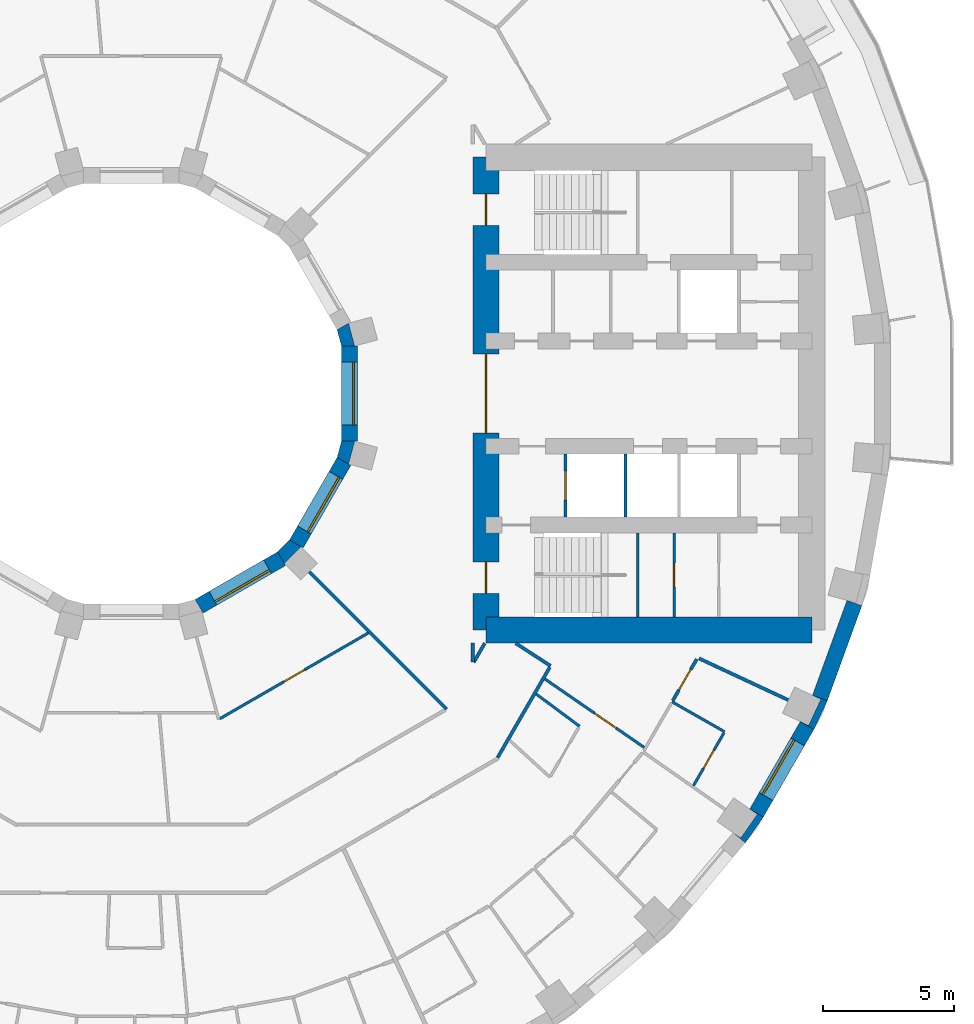
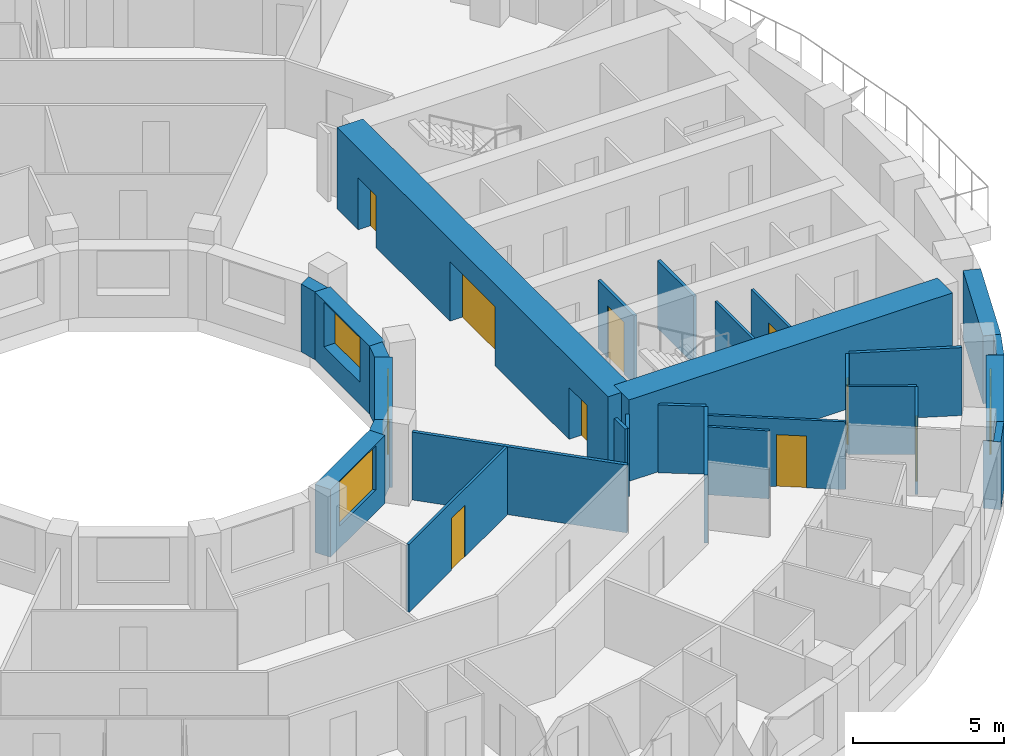
# One storey, part 8 of 15: 28 walls, 9 doors, 4 windows, 13 openings.
"""IFC4 building model written with IfcOpenShell, lengths in metres."""

import ifcopenshell
import ifcopenshell.guid

model = None  # the IFC model being written
_history = None  # IfcOwnerHistory: only IFC2X3 demands one
_inside = {}  # id of a spatial element -> (the spatial element, [elements in it])
_under = {}  # id of a project, library or spatial element -> (it, [spatial elements below it])
_declared = {}  # id of a project -> (the project, [libraries it declares])
_typed = {}  # id of a type object -> (the type object, [elements of that type])
_made_of = {}  # id of a material, layer set ... -> (it, [elements and type objects made of it])


def new_model(schema):
    """Start an empty IFC model of exactly this schema.

    Asked for "IFC4X3", IfcOpenShell would pick the latest addendum, in which some entities
    have other attributes; the version numbers below select the first issue.
    IFC2X3 requires an IfcOwnerHistory on every rooted entity: one is made here for all.
    """
    global model, _history
    if schema == "IFC4X3":
        model = ifcopenshell.file(schema_version=(4, 3, 0, 0))
    else:
        model = ifcopenshell.file(schema=schema)
    _inside.clear()
    _under.clear()
    _declared.clear()
    _typed.clear()
    _made_of.clear()
    _history = None
    if model.schema == "IFC2X3":
        org = make("IfcOrganization", Name="unknown")
        user = make(
            "IfcPersonAndOrganization",
            ThePerson=make("IfcPerson", FamilyName="unknown"),
            TheOrganization=org,
        )
        app = make(
            "IfcApplication",
            ApplicationDeveloper=org,
            Version="unknown",
            ApplicationFullName="unknown",
            ApplicationIdentifier="unknown",
        )
        _history = make(
            "IfcOwnerHistory",
            OwningUser=user,
            OwningApplication=app,
            ChangeAction="ADDED",
            CreationDate=0,
        )
    return model


def make(cls, **values):
    """One entity of the class cls with the attributes given. An attribute that is None is left unset."""
    return model.create_entity(
        cls, **{name: value for name, value in values.items() if value is not None}
    )


def rooted(cls, **values):
    """An entity with a GlobalId (a new one), such as an element, a storey or a relation."""
    return make(cls, GlobalId=ifcopenshell.guid.new(), OwnerHistory=_history, **values)


def si_unit(unit_type, name, prefix=None):
    """IfcSIUnit, for example si_unit("LENGTHUNIT", "METRE", prefix="MILLI")."""
    return make("IfcSIUnit", UnitType=unit_type, Prefix=prefix, Name=name)


def assignment(units):
    """IfcUnitAssignment: the units of a project."""
    return None if units is None else make("IfcUnitAssignment", Units=units)


def point(xyz):
    """IfcCartesianPoint."""
    return None if xyz is None else make("IfcCartesianPoint", Coordinates=xyz)


def direction(xyz):
    """IfcDirection."""
    return None if xyz is None else make("IfcDirection", DirectionRatios=xyz)


def frame(location, z_axis=None, x_axis=None):
    """IfcAxis2Placement3D, a coordinate frame: its origin and axes. An axis left out is left unset."""
    return make(
        "IfcAxis2Placement3D",
        Location=point(location),
        Axis=direction(z_axis),
        RefDirection=direction(x_axis),
    )


def frame_2d(location, x_axis=None):
    """IfcAxis2Placement2D, a coordinate frame in the plane: its origin and x axis."""
    return make(
        "IfcAxis2Placement2D", Location=point(location), RefDirection=direction(x_axis)
    )


def origin():
    """The frame at (0, 0, 0) with its axes left unset."""
    return frame((0.0, 0.0, 0.0))


def place(relative_to, where):
    """IfcLocalPlacement: puts the frame where relative to a parent placement (None: the world)."""
    return make(
        "IfcLocalPlacement", PlacementRelTo=relative_to, RelativePlacement=where
    )


def context(
    kind, dimensions, precision=None, world=None, true_north=None, identifier=None
):
    """IfcGeometricRepresentationContext, for example the 3D "Model" context."""
    return make(
        "IfcGeometricRepresentationContext",
        ContextIdentifier=identifier,
        ContextType=kind,
        CoordinateSpaceDimension=dimensions,
        Precision=precision,
        WorldCoordinateSystem=world,
        TrueNorth=true_north,
    )


def subcontext(parent, identifier, kind, view, scale=None):
    """IfcGeometricRepresentationSubContext, for example "Body" below "Model"."""
    return make(
        "IfcGeometricRepresentationSubContext",
        ContextIdentifier=identifier,
        ContextType=kind,
        ParentContext=parent,
        TargetScale=scale,
        TargetView=view,
    )


def project(units=None, contexts=None):
    """IfcProject with its units and contexts."""
    return rooted(
        "IfcProject",
        Name="project",
        RepresentationContexts=contexts,
        UnitsInContext=assignment(units),
    )


def spatial(cls, under=None, at=None, **own):
    """A site, building, storey or space (cls), placed at a placement, below another one or the project."""
    s = rooted(cls, ObjectPlacement=at, **own)
    if under is not None:
        _under.setdefault(under.id(), (under, []))[1].append(s)
    return s


def polyline(points):
    """IfcPolyline through the points."""
    return make("IfcPolyline", Points=[point(p) for p in points])


def profile(cls, at=None, kind="AREA", **sizes):
    """A parametric profile (cls). Its sizes go by their IFC names, for example OverallWidth=200.0."""
    return make(cls, ProfileType=kind, Position=at, **sizes)


def rectangle(**sizes):
    """IfcRectangleProfileDef."""
    return profile("IfcRectangleProfileDef", **sizes)


def outline(outer, holes=None, kind="AREA"):
    """IfcArbitraryClosedProfileDef: a profile drawn as a closed curve; with holes, ...WithVoids."""
    if holes is None:
        return make("IfcArbitraryClosedProfileDef", ProfileType=kind, OuterCurve=outer)
    return make(
        "IfcArbitraryProfileDefWithVoids",
        ProfileType=kind,
        OuterCurve=outer,
        InnerCurves=holes,
    )


def extrude(swept, where, along, depth):
    """IfcExtrudedAreaSolid: the profile swept, set in the frame where, extruded along a direction by depth."""
    return make(
        "IfcExtrudedAreaSolid",
        SweptArea=swept,
        Position=where,
        ExtrudedDirection=direction(along),
        Depth=depth,
    )


def shape(context_of_items, identifier, shape_type, items):
    """IfcShapeRepresentation: the items that make up one representation, for example the "Body"."""
    return make(
        "IfcShapeRepresentation",
        ContextOfItems=context_of_items,
        RepresentationIdentifier=identifier,
        RepresentationType=shape_type,
        Items=items,
    )


def material(Name=None, Category=None):
    """IfcMaterial."""
    return make("IfcMaterial", Name=Name, Category=Category)


def layer(
    of_material, thickness, ventilated=None, Name=None, Category=None, Priority=None
):
    """IfcMaterialLayer: one layer of a wall or slab, of a material (None: an air gap)."""
    return make(
        "IfcMaterialLayer",
        Material=of_material,
        LayerThickness=thickness,
        IsVentilated=ventilated,
        Name=Name,
        Category=Category,
        Priority=Priority,
    )


def layer_set(layers, Name=None):
    """IfcMaterialLayerSet."""
    return make("IfcMaterialLayerSet", MaterialLayers=layers, LayerSetName=Name)


def made_of(thing, what):
    """Note that an element or type object is made of a material, layer set ...; save() writes the relation."""
    if what is not None:
        _made_of.setdefault(what.id(), (what, []))[1].append(thing)
    return thing


def type_object(cls, material=None, **own):
    """A type object (cls), such as IfcWallType, which elements share."""
    return made_of(rooted(cls, **own), material)


def element(
    cls,
    number,
    at=None,
    inside=None,
    cuts=None,
    type_object=None,
    material=None,
    context=None,
    identifier="Body",
    shape_type=None,
    held_by="IfcProductDefinitionShape",
    body=None,
    shapes=None,
    **own,
):
    """One element of the class cls, such as IfcWall. Its Tag is "e" and its number.

    at: its placement. inside: the storey or other place that contains it. cuts: it is an
    opening in that element (IfcRelVoidsElement). A single representation is given by context,
    identifier, shape_type and body (its items); several are given by shapes. held_by: the class
    of the entity that holds the representations. save() writes the other relations.
    """
    e = rooted(cls, Tag="e%d" % number, ObjectPlacement=at, **own)
    if body is not None:
        shapes = [shape(context, identifier, shape_type, body)]
    if shapes is not None:
        e.Representation = make(held_by, Representations=shapes)
    if inside is not None:
        _inside.setdefault(inside.id(), (inside, []))[1].append(e)
    if cuts is not None:
        rooted(
            "IfcRelVoidsElement", RelatingBuildingElement=cuts, RelatedOpeningElement=e
        )
    if type_object is not None:
        _typed.setdefault(type_object.id(), (type_object, []))[1].append(e)
    return made_of(e, material)


def fill(opening, filler):
    """IfcRelFillsElement: the door or window that sits in an opening."""
    return rooted(
        "IfcRelFillsElement",
        RelatingOpeningElement=opening,
        RelatedBuildingElement=filler,
    )


def aggregate(whole, parts):
    """IfcRelAggregates: a whole, such as a stair, and the parts it consists of."""
    return rooted("IfcRelAggregates", RelatingObject=whole, RelatedObjects=parts)


def save(model, path):
    """Write the relations noted so far, then the file.

    IfcRelAggregates (storeys below a building ...), IfcRelContainedInSpatialStructure (elements
    in a storey), IfcRelDefinesByType, IfcRelAssociatesMaterial and IfcRelDeclares: one each for
    every whole, place, type object, material and project.
    """
    for whole, parts in _under.values():
        aggregate(whole, parts)
    for where, things in _inside.values():
        rooted(
            "IfcRelContainedInSpatialStructure",
            RelatedElements=things,
            RelatingStructure=where,
        )
    for kind, things in _typed.values():
        rooted("IfcRelDefinesByType", RelatedObjects=things, RelatingType=kind)
    for what, things in _made_of.values():
        rooted("IfcRelAssociatesMaterial", RelatedObjects=things, RelatingMaterial=what)
    for by, libraries in _declared.values():
        rooted("IfcRelDeclares", RelatingContext=by, RelatedDefinitions=libraries)
    model.write(path)


model = new_model("IFC4")

# Units and contexts
model_context = context("Model", 3, precision=1e-05, world=origin(), true_north=direction((0.0, 1.0)))
body_context = subcontext(model_context, "Body", "Model", "MODEL_VIEW")
ifc_project = project(units=[si_unit("LENGTHUNIT", "METRE"), si_unit("AREAUNIT", "SQUARE_METRE"), si_unit("VOLUMEUNIT", "CUBIC_METRE"), si_unit("PLANEANGLEUNIT", "RADIAN"), si_unit("MASSUNIT", "GRAM", prefix="KILO")], contexts=[model_context])

# Site, building, storey
site_placement = place(None, origin())
site = spatial("IfcSite", under=ifc_project, at=site_placement, CompositionType="ELEMENT")
building_placement = place(site_placement, origin())
building = spatial("IfcBuilding", under=site, at=building_placement, Name="Saqina Gate Tower", CompositionType="ELEMENT")
storey_placement = place(building_placement, frame((0.0, 0.0, 59.300048828125)))
storey = spatial("IfcBuildingStorey", under=building, at=storey_placement, Name="L16", CompositionType="ELEMENT", Elevation=59.300048828125)

# Walls
ifc_material_1 = material(Name="Brick masonry (red)", Category="masonry")
wall_type_1 = type_object("IfcWallType", Name="BRICK PIER COPING RED", PredefinedType="SOLIDWALL", material=ifc_material_1)
wall_1_placement = place(storey_placement, origin())
element("IfcWall", 1, at=wall_1_placement, inside=storey, type_object=wall_type_1, Name="Pier cap L16 column 33", PredefinedType="SOLIDWALL", context=body_context, shape_type="SweptSolid", body=[
    extrude(outline(polyline([(23.36669921875, -17.096923828125), (24.0576171875, -16.110107421875), (23.5380859375, -15.81005859375), (23.8251953125, -16.010986328125), (23.194091796875, -16.912109375), (22.9072265625, -16.711181640625), (23.36669921875, -17.096923828125)])), origin(), (0.0, 0.0, 1.0), 2.75),
])
wall_2_placement = place(storey_placement, origin())
element("IfcWall", 2, at=wall_2_placement, inside=storey, type_object=wall_type_1, Name="Pier cap L16 column 34", PredefinedType="SOLIDWALL", context=body_context, shape_type="SweptSolid", body=[
    extrude(outline(polyline([(26.48974609375, -11.687744140625), (25.92578125, -11.482666015625), (26.243408203125, -11.630615234375), (25.778564453125, -12.627685546875), (25.4609375, -12.4794921875), (25.980712890625, -12.779541015625), (26.48974609375, -11.687744140625)])), origin(), (0.0, 0.0, 1.0), 2.75),
])

# Wall, opening, door
ifc_material_2 = material(Name="Gypsum board on steel studs", Category="steel")
ifc_layer_1 = layer(ifc_material_2, 0.10009765625)
ifc_layer_set_1 = layer_set([ifc_layer_1], Name="CORE PARTITION")
wall_type_2 = type_object("IfcWallType", Name="CORE PARTITION", PredefinedType="PARTITIONING", material=ifc_layer_set_1)
wall_3_placement = place(storey_placement, frame((20.65771484375, -8.5, 0.0), z_axis=(0.0, 0.0, 1.0), x_axis=(0.0, 1.0, 0.0)))
wall_3 = element("IfcWall", 3, at=wall_3_placement, inside=storey, type_object=wall_type_2, Name="L16-CP-E13", PredefinedType="PARTITIONING", context=body_context, shape_type="SweptSolid", body=[
    extrude(rectangle(XDim=3.199951171875, YDim=0.10009765625, at=frame_2d((1.60009765625, 0.0))), origin(), (0.0, 0.0, 1.0), 2.75),
])
opening_1_placement = place(wall_3_placement, frame((1.14990234375, 0.0, 0.0)))
opening_1 = element("IfcOpeningElement", 4, at=opening_1_placement, cuts=wall_3, Name="Opening G04-D100", PredefinedType="OPENING", context=body_context, shape_type="SweptSolid", body=[
    extrude(rectangle(XDim=0.89990234375, YDim=2.10009765625, at=frame_2d((0.449951171875, 1.050048828125))), frame((0.0, 0.06201171875, 0.0), z_axis=(0.0, -1.0, 0.0), x_axis=(1.0, 0.0, 0.0)), (0.0, 0.0, 1.0), 0.1240234375),
])
ifc_material_3 = material(Name="Steel-framed fire door leaf, EI 60", Category="steel")
door_type_1 = type_object("IfcDoorType", Name="SERVICE ROOM DOOR 900", OperationType="SINGLE_SWING_LEFT", PredefinedType="DOOR", material=ifc_material_3)
door_1_placement = place(opening_1_placement, frame((0.89990234375, 0.0, 0.0), z_axis=(0.0, 0.0, 1.0), x_axis=(-1.0, 0.0, 0.0)))
door_1 = element("IfcDoor", 5, at=door_1_placement, inside=storey, type_object=door_type_1, Name="L16-CD-E11", OperationType="SINGLE_SWING_RIGHT", OverallHeight=2.10009765625, OverallWidth=0.89990234375, PredefinedType="DOOR", context=body_context, shape_type="SweptSolid", body=[
    extrude(rectangle(XDim=0.89990234375, YDim=2.10009765625, at=frame_2d((0.449951171875, 1.050048828125))), frame((0.0, 0.02490234375, 0.0), z_axis=(0.0, -1.0, 0.0), x_axis=(1.0, 0.0, 0.0)), (0.0, 0.0, 1.0), 0.050048828125),
])
fill(opening_1, door_1)

# Wall, opening, window
ifc_material_4 = material(Name="Brick masonry (red)", Category="masonry")
ifc_layer_2 = layer(ifc_material_4, 0.60009765625)
ifc_layer_set_2 = layer_set([ifc_layer_2], Name="FW-BRICK-RED")
wall_type_3 = type_object("IfcWallType", Name="FW-BRICK-RED", PredefinedType="SOLIDWALL", material=ifc_layer_set_2)
wall_4_placement = place(storey_placement, frame((23.7978515625, -15.960205078125, 0.0), z_axis=(0.0, 0.0, 1.0), x_axis=(0.499989888488, 0.86603124159, 0.0)))
wall_4 = element("IfcWall", 6, at=wall_4_placement, inside=storey, type_object=wall_type_3, Name="Facade wall L16 facet 33", PredefinedType="SOLIDWALL", context=body_context, shape_type="SweptSolid", body=[
    extrude(rectangle(XDim=3.845703125, YDim=0.60009765625, at=frame_2d((1.9228515625, 0.0))), origin(), (0.0, 0.0, 1.0), 2.75),
])
opening_2_placement = place(wall_4_placement, frame((0.722900390625, 0.0, 0.89990234375)))
opening_2 = element("IfcOpeningElement", 7, at=opening_2_placement, cuts=wall_4, Name="Opening G04-W23", PredefinedType="OPENING", context=body_context, shape_type="SweptSolid", body=[
    extrude(rectangle(XDim=2.39990234375, YDim=1.800048828125, at=frame_2d((1.199951171875, 0.89990234375))), frame((0.0, 0.31201171875, 0.0), z_axis=(0.0, -1.0, 0.0), x_axis=(1.0, 0.0, 0.0)), (0.0, 0.0, 1.0), 0.6240234375),
])
ifc_material_5 = material(Name="Aluminium glazing", Category="aluminium")
window_type_1 = type_object("IfcWindowType", Name="WN-A", PartitioningType="SINGLE_PANEL", PredefinedType="WINDOW", material=ifc_material_5)
window_1_placement = place(opening_2_placement, origin())
window_1 = element("IfcWindow", 8, at=window_1_placement, inside=storey, type_object=window_type_1, Name="Window L16 facet 33", OverallHeight=1.800048828125, OverallWidth=2.39990234375, PartitioningType="SINGLE_PANEL", PredefinedType="WINDOW", context=body_context, shape_type="SweptSolid", body=[
    extrude(rectangle(XDim=2.39990234375, YDim=1.800048828125, at=frame_2d((1.199951171875, 0.89990234375))), frame((0.0, 0.179931640625, 0.0), z_axis=(0.0, -1.0, 0.0), x_axis=(1.0, 0.0, 0.0)), (0.0, 0.0, 1.0), 0.06005859375),
])
fill(opening_2, window_1)

# Wall
ifc_material_6 = material(Name="Glazed ceramic tile (dark blue)", Category="ceramic")
ifc_layer_3 = layer(ifc_material_6, 0.60009765625)
ifc_layer_set_3 = layer_set([ifc_layer_3], Name="FW-TILE-CB")
wall_type_4 = type_object("IfcWallType", Name="FW-TILE-CB", PredefinedType="SOLIDWALL", material=ifc_layer_set_3)
wall_5_placement = place(storey_placement, frame((26.207763671875, -11.585205078125, 0.0), z_axis=(0.0, 0.0, 1.0), x_axis=(0.342028474173, 0.939689588564, 0.0)))
element("IfcWall", 9, at=wall_5_placement, inside=storey, type_object=wall_type_4, Name="Facade wall L16 facet 34", PredefinedType="SOLIDWALL", context=body_context, shape_type="SweptSolid", body=[
    extrude(rectangle(XDim=3.845947265625, YDim=0.60009765625, at=frame_2d((1.9228515625, 0.0))), origin(), (0.0, 0.0, 1.0), 2.75),
])

# Wall, opening, window
ifc_material_7 = material(Name="Glazed ceramic tile", Category="ceramic")
ifc_layer_4 = layer(ifc_material_7, 0.60009765625)
ifc_layer_set_4 = layer_set([ifc_layer_4], Name="IW-TILE")
wall_type_5 = type_object("IfcWallType", Name="IW-TILE", PredefinedType="SOLIDWALL", material=ifc_layer_set_4)
wall_6_placement = place(storey_placement, frame((2.580322265625, -8.09423828125, 0.0), z_axis=(0.0, 0.0, 1.0), x_axis=(0.866029693906, 0.499992569217, 0.0)))
wall_6 = element("IfcWall", 10, at=wall_6_placement, inside=storey, type_object=wall_type_5, Name="Well wall L16 facet 10", PredefinedType="SOLIDWALL", context=body_context, shape_type="SweptSolid", body=[
    extrude(rectangle(XDim=3.625, YDim=0.60009765625, at=frame_2d((1.8125, 0.0))), origin(), (0.0, 0.0, 1.0), 2.75),
])
opening_3_placement = place(wall_6_placement, frame((0.612548828125, 0.0, 0.89990234375)))
opening_3 = element("IfcOpeningElement", 11, at=opening_3_placement, cuts=wall_6, Name="Opening G04-W33", PredefinedType="OPENING", context=body_context, shape_type="SweptSolid", body=[
    extrude(rectangle(XDim=2.39990234375, YDim=1.800048828125, at=frame_2d((1.199951171875, 0.89990234375))), frame((0.0, 0.31201171875, 0.0), z_axis=(0.0, -1.0, 0.0), x_axis=(1.0, 0.0, 0.0)), (0.0, 0.0, 1.0), 0.6240234375),
])
ifc_material_8 = material(Name="Aluminium glazing", Category="aluminium")
window_type_2 = type_object("IfcWindowType", Name="WN-W", PartitioningType="SINGLE_PANEL", PredefinedType="WINDOW", material=ifc_material_8)
window_2_placement = place(opening_3_placement, origin())
window_2 = element("IfcWindow", 12, at=window_2_placement, inside=storey, type_object=window_type_2, Name="Well window L16 facet 10", OverallHeight=1.800048828125, OverallWidth=2.39990234375, PartitioningType="SINGLE_PANEL", PredefinedType="WINDOW", context=body_context, shape_type="SweptSolid", body=[
    extrude(rectangle(XDim=2.39990234375, YDim=1.800048828125, at=frame_2d((1.199951171875, 0.89990234375))), frame((0.0, -0.119873046875, 0.0), z_axis=(0.0, -1.0, 0.0), x_axis=(1.0, 0.0, 0.0)), (0.0, 0.0, 1.0), 0.06005859375),
])
fill(opening_3, window_2)

wall_7_placement = place(storey_placement, frame((6.28173828125, -5.7197265625, 0.0), z_axis=(0.0, 0.0, 1.0), x_axis=(0.499992569217, 0.866029693906, 0.0)))
wall_7 = element("IfcWall", 13, at=wall_7_placement, inside=storey, type_object=wall_type_5, Name="Well wall L16 facet 11", PredefinedType="SOLIDWALL", context=body_context, shape_type="SweptSolid", body=[
    extrude(rectangle(XDim=3.625, YDim=0.60009765625, at=frame_2d((1.8125, 0.0))), origin(), (0.0, 0.0, 1.0), 2.75),
])
opening_4_placement = place(wall_7_placement, frame((0.612548828125, 0.0, 0.89990234375)))
opening_4 = element("IfcOpeningElement", 14, at=opening_4_placement, cuts=wall_7, Name="Opening G04-W34", PredefinedType="OPENING", context=body_context, shape_type="SweptSolid", body=[
    extrude(rectangle(XDim=2.39990234375, YDim=1.800048828125, at=frame_2d((1.199951171875, 0.89990234375))), frame((0.0, 0.31201171875, 0.0), z_axis=(0.0, -1.0, 0.0), x_axis=(1.0, 0.0, 0.0)), (0.0, 0.0, 1.0), 0.6240234375),
])
window_3_placement = place(opening_4_placement, origin())
window_3 = element("IfcWindow", 15, at=window_3_placement, inside=storey, type_object=window_type_2, Name="Well window L16 facet 11", OverallHeight=1.800048828125, OverallWidth=2.39990234375, PartitioningType="SINGLE_PANEL", PredefinedType="WINDOW", context=body_context, shape_type="SweptSolid", body=[
    extrude(rectangle(XDim=2.39990234375, YDim=1.800048828125, at=frame_2d((1.199951171875, 0.89990234375))), frame((0.0, -0.119873046875, 0.0), z_axis=(0.0, -1.0, 0.0), x_axis=(1.0, 0.0, 0.0)), (0.0, 0.0, 1.0), 0.06005859375),
])
fill(opening_4, window_3)

wall_8_placement = place(storey_placement, frame((8.300048828125, -1.8125, 0.0), z_axis=(0.0, 0.0, 1.0), x_axis=(0.0, 1.0, 0.0)))
wall_8 = element("IfcWall", 16, at=wall_8_placement, inside=storey, type_object=wall_type_5, Name="Well wall L16 facet 12", PredefinedType="SOLIDWALL", context=body_context, shape_type="SweptSolid", body=[
    extrude(rectangle(XDim=3.625, YDim=0.60009765625, at=frame_2d((1.8125, 0.0))), origin(), (0.0, 0.0, 1.0), 2.75),
])
opening_5_placement = place(wall_8_placement, frame((0.612548828125, 0.0, 0.89990234375)))
opening_5 = element("IfcOpeningElement", 17, at=opening_5_placement, cuts=wall_8, Name="Opening G04-W35", PredefinedType="OPENING", context=body_context, shape_type="SweptSolid", body=[
    extrude(rectangle(XDim=2.39990234375, YDim=1.800048828125, at=frame_2d((1.199951171875, 0.89990234375))), frame((0.0, 0.31201171875, 0.0), z_axis=(0.0, -1.0, 0.0), x_axis=(1.0, 0.0, 0.0)), (0.0, 0.0, 1.0), 0.6240234375),
])
window_4_placement = place(opening_5_placement, origin())
window_4 = element("IfcWindow", 18, at=window_4_placement, inside=storey, type_object=window_type_2, Name="Well window L16 facet 12", OverallHeight=1.800048828125, OverallWidth=2.39990234375, PartitioningType="SINGLE_PANEL", PredefinedType="WINDOW", context=body_context, shape_type="SweptSolid", body=[
    extrude(rectangle(XDim=2.39990234375, YDim=1.800048828125, at=frame_2d((1.199951171875, 0.89990234375))), frame((0.0, -0.119873046875, 0.0), z_axis=(0.0, -1.0, 0.0), x_axis=(1.0, 0.0, 0.0)), (0.0, 0.0, 1.0), 0.06005859375),
])
fill(opening_5, window_4)

# Wall
ifc_material_9 = material(Name="Gypsum board on steel studs, 100 mm", Category="steel")
ifc_layer_5 = layer(ifc_material_9, 0.10009765625)
ifc_layer_set_5 = layer_set([ifc_layer_5], Name="PARTITION 100")
wall_type_6 = type_object("IfcWallType", Name="PARTITION 100", PredefinedType="PARTITIONING", material=ifc_layer_set_5)
wall_9_placement = place(storey_placement, frame((15.41015625, -11.433349609375, 0.0), z_axis=(0.0, 0.0, 1.0), x_axis=(0.802890347471, -0.596126739827, 0.0)))
element("IfcWall", 19, at=wall_9_placement, inside=storey, type_object=wall_type_6, Name="PARTITION PW3-35", PredefinedType="PARTITIONING", context=body_context, shape_type="SweptSolid", body=[
    extrude(rectangle(XDim=2.051025390625, YDim=0.10009765625, at=frame_2d((1.025390625, 0.0))), origin(), (0.0, 0.0, 1.0), 2.75),
])

# Wall, opening, door
wall_10_placement = place(storey_placement, frame((15.74169921875, -10.859619140625, 0.0), z_axis=(0.0, 0.0, 1.0), x_axis=(0.823211072174, -0.56773544072, 0.0)))
wall_10 = element("IfcWall", 20, at=wall_10_placement, inside=storey, type_object=wall_type_6, Name="PARTITION PW3-38", PredefinedType="PARTITIONING", context=body_context, shape_type="SweptSolid", body=[
    extrude(rectangle(XDim=4.591796875, YDim=0.10009765625, at=frame_2d((2.2958984375, 0.0))), origin(), (0.0, 0.0, 1.0), 2.75),
])
opening_6_placement = place(wall_10_placement, frame((2.28955078125, 0.0, 0.0)))
opening_6 = element("IfcOpeningElement", 21, at=opening_6_placement, cuts=wall_10, Name="Opening G04-D66", PredefinedType="OPENING", context=body_context, shape_type="SweptSolid", body=[
    extrude(rectangle(XDim=1.0, YDim=2.10009765625, at=frame_2d((0.5, 1.050048828125))), frame((0.0, 0.06201171875, 0.0), z_axis=(0.0, -1.0, 0.0), x_axis=(1.0, 0.0, 0.0)), (0.0, 0.0, 1.0), 0.1240234375),
])
ifc_material_10 = material(Name="Timber door leaf, 1000 mm", Category="wood")
door_type_2 = type_object("IfcDoorType", Name="DOOR 1000 TIMBER", OperationType="SINGLE_SWING_LEFT", PredefinedType="DOOR", material=ifc_material_10)
door_2_placement = place(opening_6_placement, frame((1.0, 0.0, 0.0), z_axis=(0.0, 0.0, 1.0), x_axis=(-1.0, 0.0, 0.0)))
door_2 = element("IfcDoor", 22, at=door_2_placement, inside=storey, type_object=door_type_2, Name="DOOR G04-D66", OperationType="SINGLE_SWING_RIGHT", OverallHeight=2.10009765625, OverallWidth=1.0, PredefinedType="DOOR", context=body_context, shape_type="SweptSolid", body=[
    extrude(rectangle(XDim=1.0, YDim=2.10009765625, at=frame_2d((0.5, 1.050048828125))), frame((0.0, 0.02490234375, 0.0), z_axis=(0.0, -1.0, 0.0), x_axis=(1.0, 0.0, 0.0)), (0.0, 0.0, 1.0), 0.050048828125),
])
fill(opening_6, door_2)

# Wall
wall_11_placement = place(storey_placement, frame((20.58203125, -11.72998046875, 0.0), z_axis=(0.0, 0.0, 1.0), x_axis=(0.868771789729, -0.495212658735, 0.0)))
element("IfcWall", 23, at=wall_11_placement, inside=storey, type_object=wall_type_6, Name="PARTITION PW3-46", PredefinedType="PARTITIONING", context=body_context, shape_type="SweptSolid", body=[
    extrude(rectangle(XDim=2.2998046875, YDim=0.10009765625, at=frame_2d((1.14990234375, 0.0))), origin(), (0.0, 0.0, 1.0), 2.75),
])

# Wall, opening, door
wall_12_placement = place(storey_placement, frame((3.3662109375, -12.375, 0.0), z_axis=(0.0, 0.0, 1.0), x_axis=(0.86596399252, 0.500106352348, 0.0)))
wall_12 = element("IfcWall", 24, at=wall_12_placement, inside=storey, type_object=wall_type_6, Name="PARTITION PW3-74", PredefinedType="PARTITIONING", context=body_context, shape_type="SweptSolid", body=[
    extrude(rectangle(XDim=6.5322265625, YDim=0.10009765625, at=frame_2d((3.26611328125, 0.0))), origin(), (0.0, 0.0, 1.0), 2.75),
])
opening_7_placement = place(wall_12_placement, frame((2.822265625, 0.0, 0.0)))
opening_7 = element("IfcOpeningElement", 25, at=opening_7_placement, cuts=wall_12, Name="Opening G04-D57", PredefinedType="OPENING", context=body_context, shape_type="SweptSolid", body=[
    extrude(rectangle(XDim=0.89990234375, YDim=2.10009765625, at=frame_2d((0.449951171875, 1.050048828125))), frame((0.0, 0.06201171875, 0.0), z_axis=(0.0, -1.0, 0.0), x_axis=(1.0, 0.0, 0.0)), (0.0, 0.0, 1.0), 0.1240234375),
])
ifc_material_11 = material(Name="Timber door leaf, 900 mm", Category="wood")
door_type_3 = type_object("IfcDoorType", Name="DOOR 900 TIMBER", OperationType="SINGLE_SWING_LEFT", PredefinedType="DOOR", material=ifc_material_11)
door_3_placement = place(opening_7_placement, frame((0.89990234375, 0.0, 0.0), z_axis=(0.0, 0.0, 1.0), x_axis=(-1.0, 0.0, 0.0)))
door_3 = element("IfcDoor", 26, at=door_3_placement, inside=storey, type_object=door_type_3, Name="DOOR G04-D57", OperationType="SINGLE_SWING_LEFT", OverallHeight=2.10009765625, OverallWidth=0.89990234375, PredefinedType="DOOR", context=body_context, shape_type="SweptSolid", body=[
    extrude(rectangle(XDim=0.89990234375, YDim=2.10009765625, at=frame_2d((0.449951171875, 1.050048828125))), frame((0.0, 0.02490234375, 0.0), z_axis=(0.0, -1.0, 0.0), x_axis=(1.0, 0.0, 0.0)), (0.0, 0.0, 1.0), 0.050048828125),
])
fill(opening_7, door_3)

wall_13_placement = place(storey_placement, frame((21.39599609375, -14.920654296875, 0.0), z_axis=(0.0, 0.0, 1.0), x_axis=(0.499819678633, 0.866129487347, 0.0)))
wall_13 = element("IfcWall", 27, at=wall_13_placement, inside=storey, type_object=wall_type_6, Name="PARTITION PW3-91", PredefinedType="PARTITIONING", context=body_context, shape_type="SweptSolid", body=[
    extrude(rectangle(XDim=2.318603515625, YDim=0.10009765625, at=frame_2d((1.1591796875, 0.0))), origin(), (0.0, 0.0, 1.0), 2.75),
])
opening_8_placement = place(wall_13_placement, frame((0.759521484375, 0.0, 0.0)))
opening_8 = element("IfcOpeningElement", 28, at=opening_8_placement, cuts=wall_13, Name="Opening G04-D67", PredefinedType="OPENING", context=body_context, shape_type="SweptSolid", body=[
    extrude(rectangle(XDim=0.800048828125, YDim=2.10009765625, at=frame_2d((0.39990234375, 1.050048828125))), frame((0.0, 0.06201171875, 0.0), z_axis=(0.0, -1.0, 0.0), x_axis=(1.0, 0.0, 0.0)), (0.0, 0.0, 1.0), 0.1240234375),
])
ifc_material_12 = material(Name="Timber door leaf, 800 mm", Category="wood")
door_type_4 = type_object("IfcDoorType", Name="DOOR 800 TIMBER", OperationType="SINGLE_SWING_LEFT", PredefinedType="DOOR", material=ifc_material_12)
door_4_placement = place(opening_8_placement, frame((0.800048828125, 0.0, 0.0), z_axis=(0.0, 0.0, 1.0), x_axis=(-1.0, 0.0, 0.0)))
door_4 = element("IfcDoor", 29, at=door_4_placement, inside=storey, type_object=door_type_4, Name="DOOR G04-D67", OperationType="SINGLE_SWING_RIGHT", OverallHeight=2.10009765625, OverallWidth=0.800048828125, PredefinedType="DOOR", context=body_context, shape_type="SweptSolid", body=[
    extrude(rectangle(XDim=0.800048828125, YDim=2.10009765625, at=frame_2d((0.39990234375, 1.050048828125))), frame((0.0, 0.02490234375, 0.0), z_axis=(0.0, -1.0, 0.0), x_axis=(1.0, 0.0, 0.0)), (0.0, 0.0, 1.0), 0.050048828125),
])
fill(opening_8, door_4)

# Walls
ifc_material_13 = material(Name="Gypsum board on steel studs, 125 mm, fire rated", Category="steel")
ifc_layer_6 = layer(ifc_material_13, 0.125)
ifc_layer_set_6 = layer_set([ifc_layer_6], Name="PARTITION EI 30 125")
wall_type_7 = type_object("IfcWallType", Name="PARTITION EI 30 125", PredefinedType="PARTITIONING", material=ifc_layer_set_6)
wall_14_placement = place(storey_placement, frame((6.78271484375, -6.78271484375, 0.0), z_axis=(0.0, 0.0, 1.0), x_axis=(0.707106781187, -0.707106781187, 0.0)))
element("IfcWall", 30, at=wall_14_placement, inside=storey, type_object=wall_type_7, Name="PARTITION PW1-06", PredefinedType="PARTITIONING", context=body_context, shape_type="SweptSolid", body=[
    extrude(rectangle(XDim=7.386962890625, YDim=0.125, at=frame_2d((3.693359375, 0.0))), origin(), (0.0, 0.0, 1.0), 2.75),
])
wall_15_placement = place(storey_placement, frame((14.62890625, -9.5, 0.0), z_axis=(0.0, 0.0, 1.0), x_axis=(0.838795721465, -0.544446267002, 0.0)))
element("IfcWall", 31, at=wall_15_placement, inside=storey, type_object=wall_type_7, Name="PARTITION PW1-09", PredefinedType="PARTITIONING", context=body_context, shape_type="SweptSolid", body=[
    extrude(rectangle(XDim=1.583251953125, YDim=0.125, at=frame_2d((0.79150390625, 0.0))), origin(), (0.0, 0.0, 1.0), 2.75),
])
wall_16_placement = place(storey_placement, frame((21.607666015625, -10.078369140625, 0.0), z_axis=(0.0, 0.0, 1.0), x_axis=(0.906339528383, -0.42255018553, 0.0)))
element("IfcWall", 32, at=wall_16_placement, inside=storey, type_object=wall_type_7, Name="PARTITION PW1-16", PredefinedType="PARTITIONING", context=body_context, shape_type="SweptSolid", body=[
    extrude(rectangle(XDim=3.74755859375, YDim=0.125, at=frame_2d((1.873779296875, 0.0))), origin(), (0.0, 0.0, 1.0), 2.75),
])

# Wall, opening, door
wall_17_placement = place(storey_placement, frame((20.60693359375, -11.686767578125, 0.0), z_axis=(0.0, 0.0, 1.0), x_axis=(0.500003827654, 0.866023193876, 0.0)))
wall_17 = element("IfcWall", 33, at=wall_17_placement, inside=storey, type_object=wall_type_7, Name="PARTITION PW1-46", PredefinedType="PARTITIONING", context=body_context, shape_type="SweptSolid", body=[
    extrude(rectangle(XDim=1.82763671875, YDim=0.125, at=frame_2d((0.913818359375, 0.0))), origin(), (0.0, 0.0, 1.0), 2.75),
])
opening_9_placement = place(wall_17_placement, frame((0.46875, 0.0, 0.0)))
opening_9 = element("IfcOpeningElement", 34, at=opening_9_placement, cuts=wall_17, Name="Opening G04-D68", PredefinedType="OPENING", context=body_context, shape_type="SweptSolid", body=[
    extrude(rectangle(XDim=0.89990234375, YDim=2.10009765625, at=frame_2d((0.449951171875, 1.050048828125))), frame((0.0, 0.074462890625, 0.0), z_axis=(0.0, -1.0, 0.0), x_axis=(1.0, 0.0, 0.0)), (0.0, 0.0, 1.0), 0.14892578125),
])
ifc_material_14 = material(Name="Fire door leaf EI 30, 900 mm")
door_type_5 = type_object("IfcDoorType", Name="DOOR 900 EI 30", OperationType="SINGLE_SWING_LEFT", PredefinedType="DOOR", material=ifc_material_14)
door_5_placement = place(opening_9_placement, origin())
door_5 = element("IfcDoor", 35, at=door_5_placement, inside=storey, type_object=door_type_5, Name="DOOR G04-D68", OperationType="SINGLE_SWING_RIGHT", OverallHeight=2.10009765625, OverallWidth=0.89990234375, PredefinedType="DOOR", context=body_context, shape_type="SweptSolid", body=[
    extrude(rectangle(XDim=0.89990234375, YDim=2.10009765625, at=frame_2d((0.449951171875, 1.050048828125))), frame((0.0, 0.02490234375, 0.0), z_axis=(0.0, -1.0, 0.0), x_axis=(1.0, 0.0, 0.0)), (0.0, 0.0, 1.0), 0.050048828125),
])
fill(opening_9, door_5)

# Walls
wall_18_placement = place(storey_placement, frame((13.940185546875, -13.85498046875, 0.0), z_axis=(0.0, 0.0, 1.0), x_axis=(0.500020477838, 0.866013580576, 0.0)))
element("IfcWall", 36, at=wall_18_placement, inside=storey, type_object=wall_type_7, Name="PARTITION PW1-47", PredefinedType="PARTITIONING", context=body_context, shape_type="SweptSolid", body=[
    extrude(rectangle(XDim=3.970947265625, YDim=0.125, at=frame_2d((1.9853515625, 0.0))), origin(), (0.0, 0.0, 1.0), 2.75),
])
wall_19_placement = place(storey_placement, frame((13.034912109375, -10.222412109375, 0.0), z_axis=(0.0, 0.0, 1.0), x_axis=(0.49991670217, 0.866073490468, 0.0)))
element("IfcWall", 37, at=wall_19_placement, inside=storey, type_object=wall_type_7, Name="PARTITION PW1-48", PredefinedType="PARTITIONING", context=body_context, shape_type="SweptSolid", body=[
    extrude(rectangle(XDim=0.834228515625, YDim=0.125, at=frame_2d((0.4169921875, 0.0))), origin(), (0.0, 0.0, 1.0), 2.75),
])
wall_20_placement = place(storey_placement, frame((13.0, -10.220458984375, 0.0), z_axis=(0.0, 0.0, 1.0), x_axis=(0.0, 1.0, 0.0)))
element("IfcWall", 38, at=wall_20_placement, inside=storey, type_object=wall_type_7, Name="PARTITION PW1-52", PredefinedType="PARTITIONING", context=body_context, shape_type="SweptSolid", body=[
    extrude(rectangle(XDim=0.720458984375, YDim=0.125, at=frame_2d((0.3603515625, 0.0))), origin(), (0.0, 0.0, 1.0), 2.75),
])

# Wall, opening, door
ifc_material_15 = material(Name="Autoclaved aerated concrete block", Category="concrete")
ifc_layer_7 = layer(ifc_material_15, 0.1201171875)
ifc_layer_set_7 = layer_set([ifc_layer_7], Name="SHAFT PARTITION")
wall_type_8 = type_object("IfcWallType", Name="SHAFT PARTITION", PredefinedType="PARTITIONING", material=ifc_layer_set_7)
wall_21_placement = place(storey_placement, frame((16.530029296875, -4.699951171875, 0.0), z_axis=(0.0, 0.0, 1.0), x_axis=(0.0, 1.0, 0.0)))
wall_21 = element("IfcWall", 39, at=wall_21_placement, inside=storey, type_object=wall_type_8, Name="L16-CP-E05", PredefinedType="PARTITIONING", context=body_context, shape_type="SweptSolid", body=[
    extrude(rectangle(XDim=2.39990234375, YDim=0.1201171875, at=frame_2d((1.199951171875, 0.0))), origin(), (0.0, 0.0, 1.0), 2.75),
])
opening_10_placement = place(wall_21_placement, frame((0.64990234375, 0.0, 0.0)))
opening_10 = element("IfcOpeningElement", 40, at=opening_10_placement, cuts=wall_21, Name="Opening G04-LD2", PredefinedType="OPENING", context=body_context, shape_type="SweptSolid", body=[
    extrude(rectangle(XDim=1.10009765625, YDim=2.10009765625, at=frame_2d((0.550048828125, 1.050048828125))), frame((0.0, 0.072021484375, 0.0), z_axis=(0.0, -1.0, 0.0), x_axis=(1.0, 0.0, 0.0)), (0.0, 0.0, 1.0), 0.14404296875),
])
ifc_material_16 = material(Name="Stainless steel", Category="steel")
door_type_6 = type_object("IfcDoorType", Name="LANDING DOOR", OperationType="DOUBLE_DOOR_SLIDING", PredefinedType="DOOR", material=ifc_material_16)
door_6_placement = place(opening_10_placement, origin())
door_6 = element("IfcDoor", 41, at=door_6_placement, inside=storey, type_object=door_type_6, Name="LANDING DOOR FF1", OperationType="DOUBLE_DOOR_SLIDING", OverallHeight=2.10009765625, OverallWidth=1.10009765625, PredefinedType="DOOR", context=body_context, shape_type="SweptSolid", body=[
    extrude(rectangle(XDim=1.10009765625, YDim=2.10009765625, at=frame_2d((0.550048828125, 1.050048828125))), frame((0.0, 0.02490234375, 0.0), z_axis=(0.0, -1.0, 0.0), x_axis=(1.0, 0.0, 0.0)), (0.0, 0.0, 1.0), 0.050048828125),
])
fill(opening_10, door_6)

# Walls
wall_22_placement = place(storey_placement, frame((18.81005859375, -4.699951171875, 0.0), z_axis=(0.0, 0.0, 1.0), x_axis=(0.0, 1.0, 0.0)))
element("IfcWall", 42, at=wall_22_placement, inside=storey, type_object=wall_type_8, Name="L16-CP-E06", PredefinedType="PARTITIONING", context=body_context, shape_type="SweptSolid", body=[
    extrude(rectangle(XDim=2.39990234375, YDim=0.1201171875, at=frame_2d((1.199951171875, 0.0))), origin(), (0.0, 0.0, 1.0), 2.75),
])
ifc_material_17 = material(Name="Autoclaved aerated concrete block", Category="concrete")
ifc_layer_8 = layer(ifc_material_17, 0.10009765625)
ifc_layer_set_8 = layer_set([ifc_layer_8], Name="STAIR ENCLOSURE WALL")
wall_type_9 = type_object("IfcWallType", Name="STAIR ENCLOSURE WALL", PredefinedType="PARTITIONING", material=ifc_layer_set_8)
wall_23_placement = place(storey_placement, frame((19.27001953125, -8.5, 0.0), z_axis=(0.0, 0.0, 1.0), x_axis=(0.0, 1.0, 0.0)))
element("IfcWall", 43, at=wall_23_placement, inside=storey, type_object=wall_type_9, Name="L16-CP-E12", PredefinedType="PARTITIONING", context=body_context, shape_type="SweptSolid", body=[
    extrude(rectangle(XDim=3.199951171875, YDim=0.10009765625, at=frame_2d((1.60009765625, 0.0))), origin(), (0.0, 0.0, 1.0), 2.75),
])

# Wall, openings, doors
ifc_material_18 = material(Name="Concrete C70/85", Category="concrete")
ifc_layer_9 = layer(ifc_material_18, 1.0)
ifc_layer_set_9 = layer_set([ifc_layer_9], Name="Concrete C70/85")
wall_type_10 = type_object("IfcWallType", Name="STR-CORE WALL-A-O", PredefinedType="SHEAR", material=ifc_layer_set_9)
wall_24_placement = place(storey_placement, frame((13.5, -9.0, 0.0), z_axis=(0.0, 0.0, 1.0), x_axis=(0.0, 1.0, 0.0)))
wall_24 = element("IfcWall", 44, at=wall_24_placement, inside=storey, type_object=wall_type_10, Name="CORE WALL L16 E-W1", PredefinedType="SHEAR", context=body_context, shape_type="SweptSolid", body=[
    extrude(rectangle(XDim=18.0, YDim=1.0, at=frame_2d((9.0, 0.0))), origin(), (0.0, 0.0, 1.0), 3.300048828125),
])
opening_11_placement = place(wall_24_placement, frame((15.39990234375, 0.0, 0.0)))
opening_11 = element("IfcOpeningElement", 45, at=opening_11_placement, cuts=wall_24, Name="Opening G04-D103", PredefinedType="OPENING", context=body_context, shape_type="SweptSolid", body=[
    extrude(rectangle(XDim=1.199951171875, YDim=2.10009765625, at=frame_2d((0.60009765625, 1.050048828125))), frame((0.0, 0.511962890625, 0.0), z_axis=(0.0, -1.0, 0.0), x_axis=(1.0, 0.0, 0.0)), (0.0, 0.0, 1.0), 1.02392578125),
])
opening_12_placement = place(wall_24_placement, frame((1.39990234375, 0.0, 0.0)))
opening_12 = element("IfcOpeningElement", 46, at=opening_12_placement, cuts=wall_24, Name="Opening G04-D104", PredefinedType="OPENING", context=body_context, shape_type="SweptSolid", body=[
    extrude(rectangle(XDim=1.199951171875, YDim=2.10009765625, at=frame_2d((0.60009765625, 1.050048828125))), frame((0.0, 0.511962890625, 0.0), z_axis=(0.0, -1.0, 0.0), x_axis=(1.0, 0.0, 0.0)), (0.0, 0.0, 1.0), 1.02392578125),
])
opening_13_placement = place(wall_24_placement, frame((7.5, 0.0, 0.0)))
opening_13 = element("IfcOpeningElement", 47, at=opening_13_placement, cuts=wall_24, Name="Opening G04-D105", PredefinedType="OPENING", context=body_context, shape_type="SweptSolid", body=[
    extrude(rectangle(XDim=3.0, YDim=2.39990234375, at=frame_2d((1.5, 1.199951171875))), frame((0.0, 0.511962890625, 0.0), z_axis=(0.0, -1.0, 0.0), x_axis=(1.0, 0.0, 0.0)), (0.0, 0.0, 1.0), 1.02392578125),
])
ifc_material_19 = material(Name="Steel", Category="steel")
door_type_7 = type_object("IfcDoorType", Name="FIRE DOOR EI 60", OperationType="SINGLE_SWING_LEFT", PredefinedType="DOOR", material=ifc_material_19)
door_7_placement = place(opening_11_placement, frame((1.199951171875, 0.0, 0.0), z_axis=(0.0, 0.0, 1.0), x_axis=(-1.0, 0.0, 0.0)))
door_7 = element("IfcDoor", 48, at=door_7_placement, inside=storey, type_object=door_type_7, Name="L16-CD-E14", OperationType="SINGLE_SWING_LEFT", OverallHeight=2.10009765625, OverallWidth=1.199951171875, PredefinedType="DOOR", context=body_context, shape_type="SweptSolid", body=[
    extrude(rectangle(XDim=1.199951171875, YDim=2.10009765625, at=frame_2d((0.60009765625, 1.050048828125))), frame((0.0, 0.02490234375, 0.0), z_axis=(0.0, -1.0, 0.0), x_axis=(1.0, 0.0, 0.0)), (0.0, 0.0, 1.0), 0.050048828125),
])
fill(opening_11, door_7)
door_8_placement = place(opening_12_placement, frame((1.199951171875, 0.0, 0.0), z_axis=(0.0, 0.0, 1.0), x_axis=(-1.0, 0.0, 0.0)))
door_8 = element("IfcDoor", 49, at=door_8_placement, inside=storey, type_object=door_type_7, Name="L16-CD-E15", OperationType="SINGLE_SWING_RIGHT", OverallHeight=2.10009765625, OverallWidth=1.199951171875, PredefinedType="DOOR", context=body_context, shape_type="SweptSolid", body=[
    extrude(rectangle(XDim=1.199951171875, YDim=2.10009765625, at=frame_2d((0.60009765625, 1.050048828125))), frame((0.0, 0.02490234375, 0.0), z_axis=(0.0, -1.0, 0.0), x_axis=(1.0, 0.0, 0.0)), (0.0, 0.0, 1.0), 0.050048828125),
])
fill(opening_12, door_8)
ifc_material_20 = material(Name="Steel and fire-resisting glass", Category="steel")
door_type_8 = type_object("IfcDoorType", Name="LOBBY SCREEN DOOR", OperationType="DOUBLE_DOOR_SLIDING", PredefinedType="DOOR", material=ifc_material_20)
door_9_placement = place(opening_13_placement, origin())
door_9 = element("IfcDoor", 50, at=door_9_placement, inside=storey, type_object=door_type_8, Name="L16-CD-E16", OperationType="DOUBLE_DOOR_SLIDING", OverallHeight=2.39990234375, OverallWidth=3.0, PredefinedType="DOOR", context=body_context, shape_type="SweptSolid", body=[
    extrude(rectangle(XDim=3.0, YDim=2.39990234375, at=frame_2d((1.5, 1.199951171875))), frame((0.0, 0.02490234375, 0.0), z_axis=(0.0, -1.0, 0.0), x_axis=(1.0, 0.0, 0.0)), (0.0, 0.0, 1.0), 0.050048828125),
])
fill(opening_13, door_9)

# Walls
wall_25_placement = place(storey_placement, frame((13.5, -9.0, 0.0), z_axis=(0.0, 0.0, 1.0), x_axis=(1.0, 0.0, 0.0)))
element("IfcWall", 51, at=wall_25_placement, inside=storey, type_object=wall_type_10, Name="CORE WALL L16 E-SE", PredefinedType="SHEAR", context=body_context, shape_type="SweptSolid", body=[
    extrude(rectangle(XDim=12.39990234375, YDim=1.0, at=frame_2d((6.199951171875, 0.0))), origin(), (0.0, 0.0, 1.0), 3.300048828125),
])
ifc_material_21 = material(Name="Glazed ceramic tile", Category="ceramic")
wall_type_11 = type_object("IfcWallType", Name="TILE PIER COPING", PredefinedType="SOLIDWALL", material=ifc_material_21)
wall_26_placement = place(storey_placement, origin())
element("IfcWall", 52, at=wall_26_placement, inside=storey, type_object=wall_type_11, Name="Well pier cap L16 column 1", PredefinedType="SOLIDWALL", context=body_context, shape_type="SweptSolid", body=[
    extrude(outline(polyline([(8.27001953125, 2.681884765625), (7.83447265625, 2.430419921875), (8.0, 1.8125), (8.502685546875, 1.8125), (8.27001953125, 2.681884765625)])), origin(), (0.0, 0.0, 1.0), 2.75),
])
wall_27_placement = place(storey_placement, origin())
element("IfcWall", 53, at=wall_27_placement, inside=storey, type_object=wall_type_11, Name="Well pier cap L16 column 11", PredefinedType="SOLIDWALL", context=body_context, shape_type="SweptSolid", body=[
    extrude(outline(polyline([(5.821044921875, -6.45751953125), (6.45751953125, -5.821044921875), (6.02197265625, -5.569580078125), (5.569580078125, -6.02197265625), (5.821044921875, -6.45751953125)])), origin(), (0.0, 0.0, 1.0), 2.75),
])
wall_28_placement = place(storey_placement, origin())
element("IfcWall", 54, at=wall_28_placement, inside=storey, type_object=wall_type_11, Name="Well pier cap L16 column 12", PredefinedType="SOLIDWALL", context=body_context, shape_type="SweptSolid", body=[
    extrude(outline(polyline([(8.502685546875, -1.8125), (8.0, -1.8125), (7.83447265625, -2.430419921875), (8.27001953125, -2.681884765625), (8.502685546875, -1.8125)])), origin(), (0.0, 0.0, 1.0), 2.75),
])

save(model, "model.ifc")
